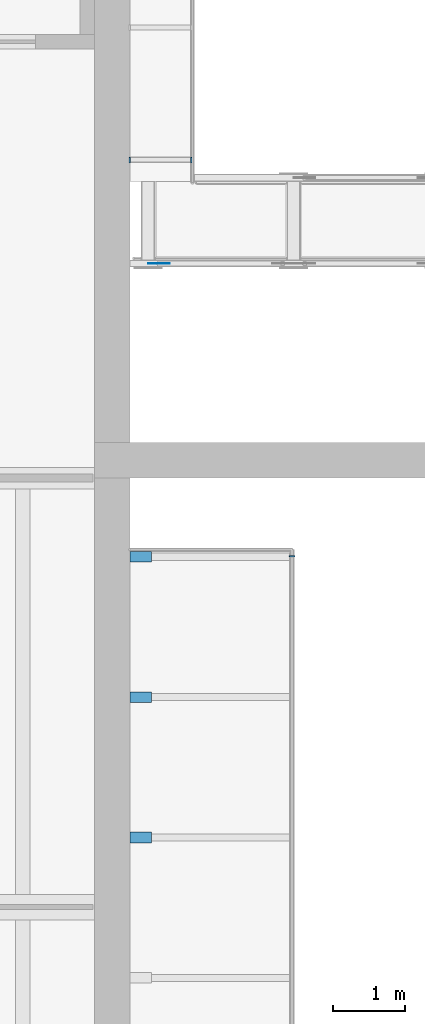
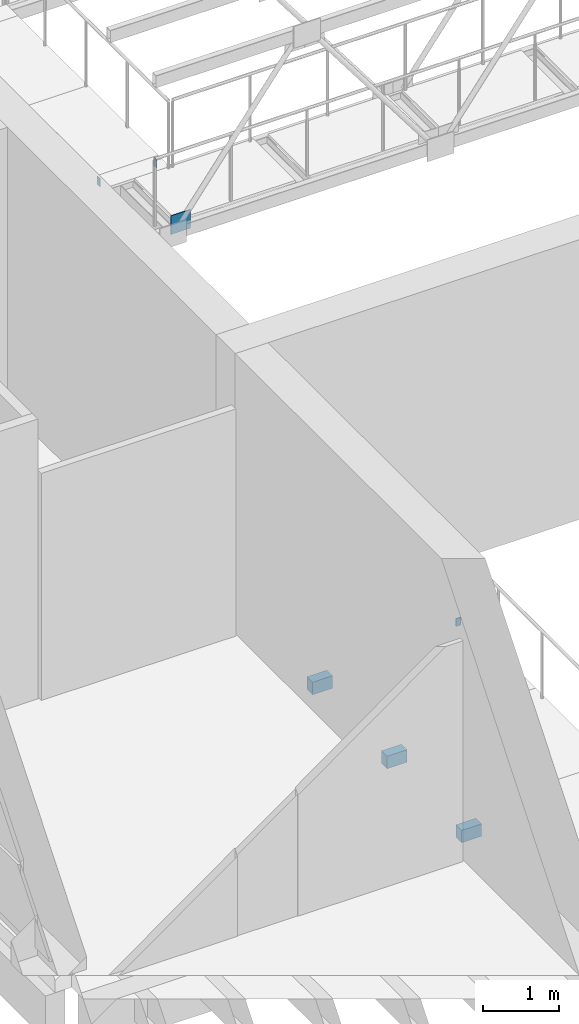
# One storey, part 39 of 70: 7 discrete accessories.
"""IFC4 building model written with IfcOpenShell, lengths in metres."""

from ifc_helpers import new_model, si_unit, direction, frame, origin, origin_2d, place, context, subcontext, project, spatial, rectangle, extrude, material, material_profile, profile_set, type_object, element, save


model = new_model("IFC4")

# Units and contexts
model_context = context("Model", 3, precision=1e-05, world=origin(), true_north=direction((0.0, 1.0)))
body_context = subcontext(model_context, "Body", "Model", "MODEL_VIEW")
ifc_project = project(units=[si_unit("LENGTHUNIT", "METRE"), si_unit("AREAUNIT", "SQUARE_METRE"), si_unit("VOLUMEUNIT", "CUBIC_METRE"), si_unit("PLANEANGLEUNIT", "RADIAN"), si_unit("MASSUNIT", "GRAM", prefix="KILO")], contexts=[model_context])

# Site, building, storey
site_placement = place(None, origin())
site = spatial("IfcSite", under=ifc_project, at=site_placement, CompositionType="ELEMENT")
building_placement = place(site_placement, origin())
building = spatial("IfcBuilding", under=site, at=building_placement, Name="Saffron Lane Theatres", CompositionType="ELEMENT")
storey_placement = place(building_placement, frame((0.0, 0.0, 12.0)))
storey = spatial("IfcBuildingStorey", under=building, at=storey_placement, Name="L02", CompositionType="ELEMENT", Elevation=12.0)

# Discrete accessories
ifc_material_1 = material(Name="Steel Grade 350", Category="steel")
ifc_material_profile_1 = material_profile(ifc_material_1, rectangle(XDim=0.300048828125, YDim=0.300048828125, at=origin_2d()))
ifc_profile_set_1 = profile_set([ifc_material_profile_1], Name="Steel Grade 350")
discrete_accessory_type_1 = type_object("IfcDiscreteAccessoryType", Name="ST-GUSSET CONNECTION PLATE", PredefinedType="BRACKET", material=ifc_profile_set_1)
discrete_accessory_1_placement = place(storey_placement, frame((18.902587890625, 56.9951171875, 4.48291015625), z_axis=(0.0, 1.0, 0.0), x_axis=(-1.0, 0.0, 0.0)))
element("IfcDiscreteAccessory", 1, at=discrete_accessory_1_placement, inside=storey, type_object=discrete_accessory_type_1, Name="GB425", PredefinedType="BRACKET", context=body_context, shape_type="SweptSolid", body=[
    extrude(rectangle(XDim=0.300048828125, YDim=0.300048828125, at=origin_2d()), origin(), (0.0, 0.0, 1.0), 0.009765625),
])
ifc_material_2 = material(Name="Steel Grade 350", Category="steel")
ifc_material_profile_2 = material_profile(ifc_material_2, rectangle(XDim=0.074951171875, YDim=0.125, at=origin_2d()))
ifc_profile_set_2 = profile_set([ifc_material_profile_2], Name="Steel Grade 350")
discrete_accessory_type_2 = type_object("IfcDiscreteAccessoryType", Name="ST-STEEL END CAP 125x75x5 RHS", PredefinedType="ANCHORPLATE", material=ifc_profile_set_2)
discrete_accessory_2_placement = place(storey_placement, frame((20.762451171875, 52.89990234375, -0.112548828125), z_axis=(0.0, 1.0, 0.0), x_axis=(-1.0, 0.0, 0.0)))
element("IfcDiscreteAccessory", 2, at=discrete_accessory_2_placement, inside=storey, type_object=discrete_accessory_type_2, Name="EC586", PredefinedType="ANCHORPLATE", context=body_context, shape_type="SweptSolid", body=[
    extrude(rectangle(XDim=0.074951171875, YDim=0.125, at=origin_2d()), origin(), (0.0, 0.0, 1.0), 0.01220703125),
])
for number, where, z_axis, x_axis, name in (
    (3, (18.488037109375, 58.449951171875, 4.3974609375), (1.0, 0.0, 0.0), (0.0, 1.0, 0.0), "EC615"),
    (4, (19.35009765625, 58.449951171875, 4.3974609375), (1.0, 0.0, 0.0), (0.0, 1.0, 0.0), "EC616"),
):
    element("IfcDiscreteAccessory", number, at=place(storey_placement, frame(where, z_axis=z_axis, x_axis=x_axis)), inside=storey, type_object=discrete_accessory_type_2, Name=name, PredefinedType="ANCHORPLATE", context=body_context, shape_type="SweptSolid", body=[
        extrude(rectangle(XDim=0.074951171875, YDim=0.125, at=origin_2d()), origin(), (0.0, 0.0, 1.0), 0.011962890625),
    ])
for number, where, z_axis, x_axis, name in (
    (5, (18.64990234375, 48.97509765625, -0.44775390625), (0.0, 0.0, 1.0), (1.0, 0.0, 0.0), "FKW12-8"),
    (6, (18.64990234375, 50.9375, -0.44775390625), (0.0, 0.0, 1.0), (1.0, 0.0, 0.0), "FKW12-9"),
    (7, (18.64990234375, 52.89990234375, -0.44775390625), (0.0, 0.0, 1.0), (1.0, 0.0, 0.0), "FKW12-10"),
):
    element("IfcDiscreteAccessory", number, at=place(storey_placement, frame(where, z_axis=z_axis, x_axis=x_axis)), inside=storey, Name=name, PredefinedType="BRACKET", context=body_context, shape_type="SweptSolid", body=[
        extrude(rectangle(XDim=0.300048828125, YDim=0.14990234375, at=origin_2d()), origin(), (0.0, 0.0, 1.0), 0.199951171875),
    ])

save(model, "model.ifc")
